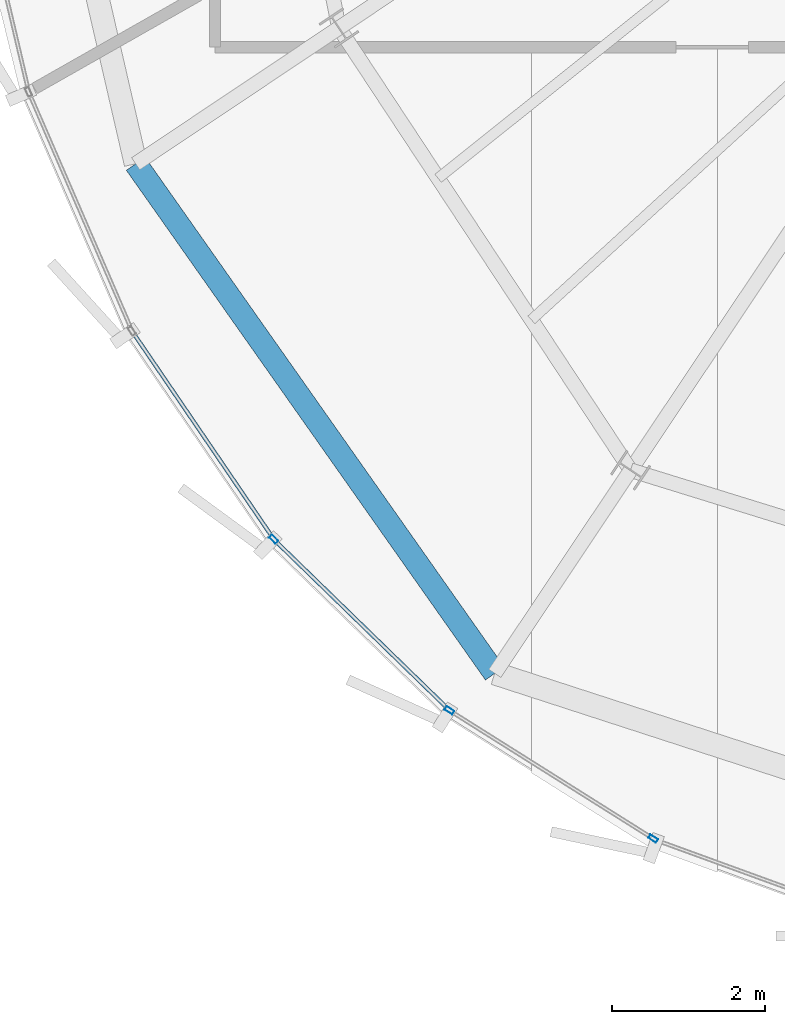
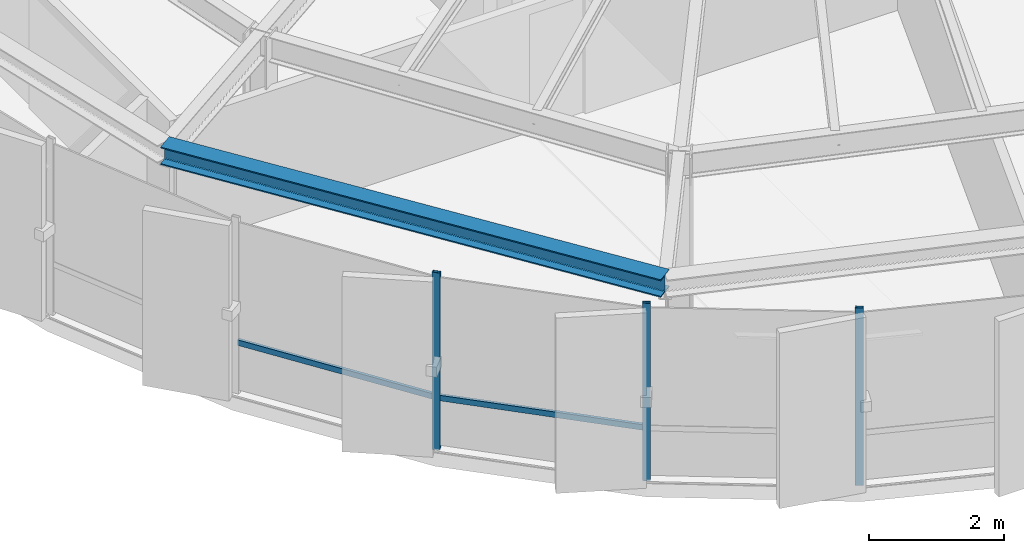
# One storey, part 2 of 31: 5 members, 1 beam, 1 element without a shape of its own.
"""IFC4 building model written with IfcOpenShell, lengths in metres."""

from ifc_helpers import new_model, si_unit, direction, frame, origin, origin_2d, place, context, subcontext, project, spatial, hollow_rectangle, i_section, extrude, source, transform, mapped, material, layer, layer_set, material_profile, profile_set, type_object, element, aggregate, save


model = new_model("IFC4")

# Units and contexts
model_context = context("Model", 3, precision=1e-05, world=origin(), true_north=direction((0.0, 1.0)))
body_context = subcontext(model_context, "Body", "Model", "MODEL_VIEW")
ifc_project = project(units=[si_unit("LENGTHUNIT", "METRE"), si_unit("AREAUNIT", "SQUARE_METRE"), si_unit("VOLUMEUNIT", "CUBIC_METRE"), si_unit("PLANEANGLEUNIT", "RADIAN"), si_unit("MASSUNIT", "GRAM", prefix="KILO"), si_unit("THERMODYNAMICTEMPERATUREUNIT", "KELVIN")], contexts=[model_context])

# Site, building, storey
site_placement = place(None, origin())
site = spatial("IfcSite", under=ifc_project, at=site_placement, CompositionType="ELEMENT")
building_placement = place(site_placement, origin())
building = spatial("IfcBuilding", under=site, at=building_placement, Name="Kethvar Cultural Tower", CompositionType="ELEMENT")
storey_placement = place(building_placement, frame((0.0, 0.0, 290.5)))
storey = spatial("IfcBuildingStorey", under=building, at=storey_placement, Name="L77", CompositionType="ELEMENT", Elevation=290.5)

# Beam
ifc_material_1 = material(Name="Steel S355J2", Category="steel")
ifc_material_profile_1 = material_profile(ifc_material_1, i_section(OverallWidth=0.300048828125, OverallDepth=0.320068359375, WebThickness=0.011474609375, FlangeThickness=0.0205078125, FilletRadius=0.027099609375, at=origin_2d()), Name="Steel S355J2 — HEB320")
ifc_profile_set_1 = profile_set([ifc_material_profile_1], Name="Steel S355J2 — HEB320")
beam_type = type_object("IfcBeamType", Name="BM-SP320", PredefinedType="SPANDREL", material=ifc_profile_set_1)
shared_shape_1 = source(origin(), body_context, "Body", "SweptSolid", [
    extrude(i_section(OverallWidth=0.300048828125, OverallDepth=0.320068359375, WebThickness=0.011474609375, FlangeThickness=0.0205078125, FilletRadius=0.027099609375, at=origin_2d()), origin(), (0.0, 0.0, 1.0), 8.16259765625),
])
beam_placement = place(storey_placement, frame((30.252197265625, 16.7431640625, 3.048095703125), z_axis=(0.575940812748, -0.817491394579, 0.0), x_axis=(0.817491394579, 0.575940812748, 0.0)))
element("IfcBeam", 1, at=beam_placement, inside=storey, type_object=beam_type, Name="L77 Perimeter Spandrel Beam SP-10", PredefinedType="SPANDREL", context=body_context, shape_type="MappedRepresentation", body=[
    mapped(shared_shape_1, transform((0.0, 0.0, 0.0), scale=1.0)),
])

# Curtain wall, members
ifc_material_2 = material(Name="Aluminium 6063-T6", Category="aluminium")
ifc_layer = layer(ifc_material_2, 0.179931640625, Name="Aluminium 6063-T6", Category="aluminium")
ifc_layer_set = layer_set([ifc_layer], Name="Aluminium 6063-T6 (180 mm)")
curtain_wall_type = type_object("IfcCurtainWallType", Name="CW-SYS-05-Z56", PredefinedType="NOTDEFINED", material=ifc_layer_set)
curtain_wall_placement = place(storey_placement, origin())
curtain_wall = element("IfcCurtainWall", 2, at=curtain_wall_placement, inside=storey, type_object=curtain_wall_type, Name="L77 Curtain Wall Run 03", PredefinedType="NOTDEFINED")
ifc_material_profile_2 = material_profile(ifc_material_2, hollow_rectangle(XDim=0.054931640625, YDim=0.1201171875, WallThickness=0.00390625, at=origin_2d()), Name="Aluminium 6063-T6 — RHS120x55x4")
ifc_profile_set_2 = profile_set([ifc_material_profile_2], Name="Aluminium 6063-T6 — RHS120x55x4")
member_type_1 = type_object("IfcMemberType", Name="CW-SYS-05-Z56-MUL", PredefinedType="MULLION", material=ifc_profile_set_2)
shared_shape_2 = source(origin(), body_context, "Body", "SweptSolid", [
    extrude(hollow_rectangle(XDim=0.054931640625, YDim=0.1201171875, WallThickness=0.00390625, at=origin_2d()), origin(), (0.0, 0.0, 1.0), 3.2099609375),
])
member_1_placement = place(storey_placement, frame((32.0576171875, 11.827392578125, 0.0), z_axis=(0.0, 0.0, 1.0), x_axis=(0.697177615199, 0.716898439715, 0.0)))
member_1 = element("IfcMember", 3, at=member_1_placement, type_object=member_type_1, Name="CW-L77-R03 Mullion 5", PredefinedType="MULLION", context=body_context, shape_type="MappedRepresentation", body=[
    mapped(shared_shape_2, transform((0.0, 0.0, 0.0), scale=1.0)),
])
member_2_placement = place(storey_placement, frame((34.359130859375, 9.586181640625, 0.0), z_axis=(0.0, 0.0, 1.0), x_axis=(0.532743349785, 0.846276859697, 0.0)))
member_2 = element("IfcMember", 4, at=member_2_placement, type_object=member_type_1, Name="CW-L77-R03 Mullion 6", PredefinedType="MULLION", context=body_context, shape_type="MappedRepresentation", body=[
    mapped(shared_shape_2, transform((0.0, 0.0, 0.0), scale=1.0)),
])
member_3_placement = place(storey_placement, frame((37.026611328125, 7.906982421875, 0.0), z_axis=(0.0, 0.0, 1.0), x_axis=(0.532743349785, 0.846276859697, 0.0)))
member_3 = element("IfcMember", 5, at=member_3_placement, type_object=member_type_1, Name="CW-L77-R03 Mullion 7", PredefinedType="MULLION", context=body_context, shape_type="MappedRepresentation", body=[
    mapped(shared_shape_2, transform((0.0, 0.0, 0.0), scale=1.0)),
])
ifc_material_profile_3 = material_profile(ifc_material_2, hollow_rectangle(XDim=0.050048828125, YDim=0.10009765625, WallThickness=0.00390625, at=origin_2d()), Name="Aluminium 6063-T6 — RHS100x50x4")
ifc_profile_set_3 = profile_set([ifc_material_profile_3], Name="Aluminium 6063-T6 — RHS100x50x4")
member_type_2 = type_object("IfcMemberType", Name="CW-SYS-05-Z56-TRN", PredefinedType="USERDEFINED", material=ifc_profile_set_3)
shared_shape_3 = source(origin(), body_context, "Body", "SweptSolid", [
    extrude(hollow_rectangle(XDim=0.050048828125, YDim=0.10009765625, WallThickness=0.00390625, at=origin_2d()), origin(), (0.0, 0.0, 1.0), 3.154052734375),
])
member_4_placement = place(storey_placement, frame((32.0859375, 11.7998046875, 0.949951171875), z_axis=(0.716906794611, -0.697169023868, 0.0), x_axis=(0.697169023868, 0.716906794611, 0.0)))
member_4 = element("IfcMember", 6, at=member_4_placement, type_object=member_type_2, Name="CW-L77-R03 Transom 5", ObjectType="TRANSOM", PredefinedType="USERDEFINED", context=body_context, shape_type="MappedRepresentation", body=[
    mapped(shared_shape_3, transform((0.0, 0.0, 0.0), scale=1.0)),
])
shared_shape_4 = source(origin(), body_context, "Body", "SweptSolid", [
    extrude(hollow_rectangle(XDim=0.050048828125, YDim=0.10009765625, WallThickness=0.00390625, at=origin_2d()), origin(), (0.0, 0.0, 1.0), 3.238525390625),
])
member_5_placement = place(storey_placement, frame((30.224609375, 14.521240234375, 0.949951171875), z_axis=(0.563039719635, -0.826429836171, 0.0), x_axis=(0.826429836171, 0.563039719635, 0.0)))
member_5 = element("IfcMember", 7, at=member_5_placement, type_object=member_type_2, Name="CW-L77-R03 Transom 4", ObjectType="TRANSOM", PredefinedType="USERDEFINED", context=body_context, shape_type="MappedRepresentation", body=[
    mapped(shared_shape_4, transform((0.0, 0.0, 0.0), scale=1.0)),
])
aggregate(curtain_wall, [member_1, member_2, member_3, member_5, member_4])

save(model, "model.ifc")
